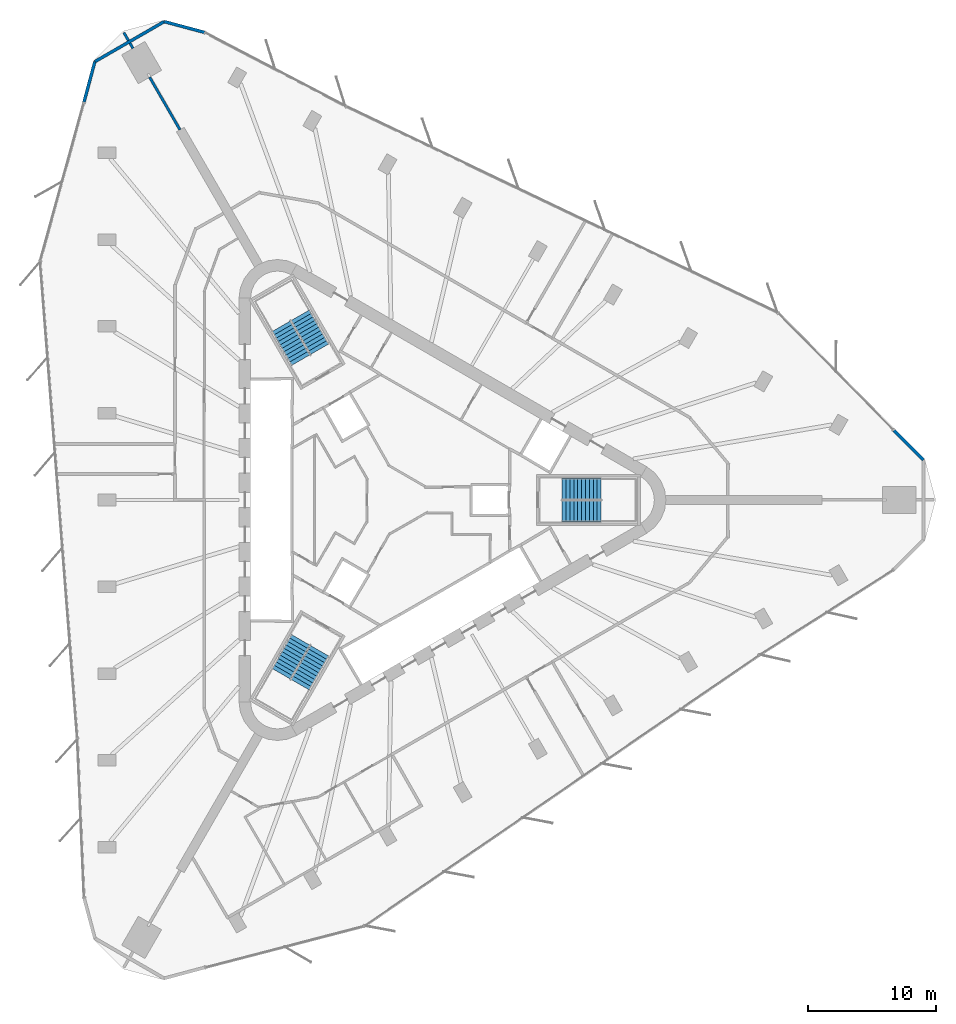
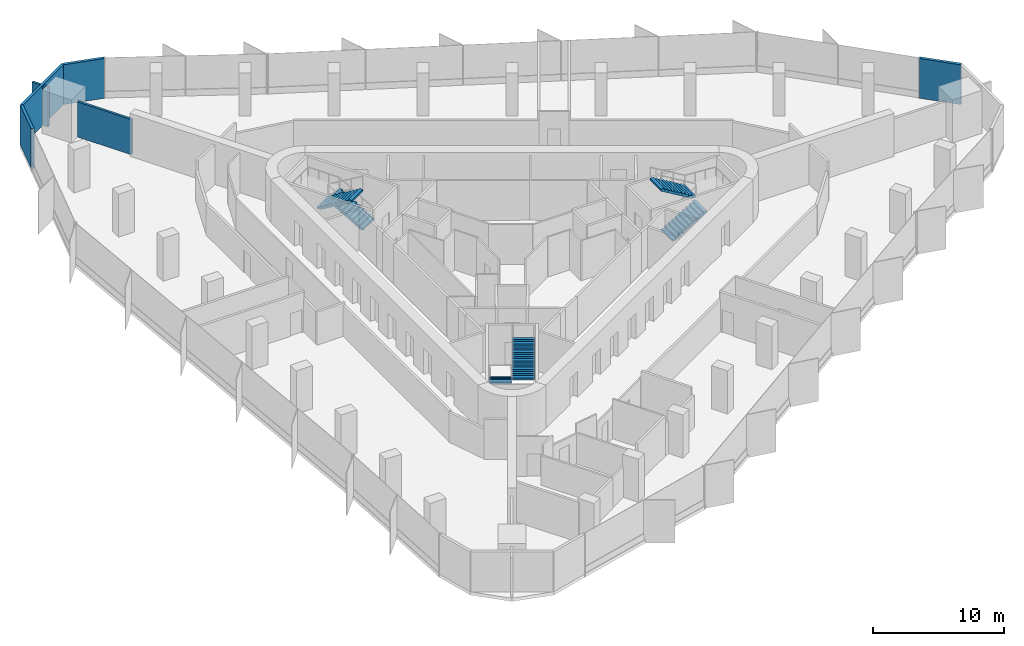
# One storey, part 12 of 13: 7 walls, 6 stair flights, 3 elements without a shape of their own.
"""IFC4 building model written with IfcOpenShell, lengths in metres."""

from ifc_helpers import new_model, si_unit, direction, frame, frame_2d, origin, place, context, subcontext, project, spatial, polyline, rectangle, outline, extrude, material, layer, layer_set, type_object, element, aggregate, save


model = new_model("IFC4")

# Units and contexts
model_context = context("Model", 3, precision=1e-05, world=origin(), true_north=direction((0.0, 1.0)))
body_context = subcontext(model_context, "Body", "Model", "MODEL_VIEW")
ifc_project = project(units=[si_unit("LENGTHUNIT", "METRE"), si_unit("AREAUNIT", "SQUARE_METRE"), si_unit("VOLUMEUNIT", "CUBIC_METRE"), si_unit("PLANEANGLEUNIT", "RADIAN"), si_unit("MASSUNIT", "GRAM", prefix="KILO")], contexts=[model_context])

# Site, building, storey
site_placement = place(None, origin())
site = spatial("IfcSite", under=ifc_project, at=site_placement, CompositionType="ELEMENT")
building_placement = place(site_placement, origin())
building = spatial("IfcBuilding", under=site, at=building_placement, Name="Tanit Gate Tower", CompositionType="ELEMENT")
storey_placement = place(building_placement, frame((0.0, 0.0, 181.199951171875)))
storey = spatial("IfcBuildingStorey", under=building, at=storey_placement, Name="L39", CompositionType="ELEMENT", Elevation=181.199951171875)

# Walls
ifc_material_1 = material(Name="Concrete C30/37 with bronze anodised aluminium cladding", Category="concrete")
ifc_layer_1 = layer(ifc_material_1, 0.239990234375)
ifc_layer_set_1 = layer_set([ifc_layer_1], Name="Facade wall bronze clad 240")
wall_type_1 = type_object("IfcWallType", Name="Facade wall bronze clad 240", PredefinedType="SOLIDWALL", material=ifc_layer_set_1)
wall_1_placement = place(storey_placement, frame((-14.79296875, 36.479248046875, 0.0), z_axis=(0.0, 0.0, 1.0), x_axis=(-0.965934328549, 0.258787312151, 0.0)))
element("IfcWall", 1, at=wall_1_placement, inside=storey, type_object=wall_type_1, Name="Bronze-clad facade wall L39 NW.arc1", PredefinedType="SOLIDWALL", context=body_context, shape_type="SweptSolid", body=[
    extrude(rectangle(XDim=3.255615234375, YDim=0.239990234375, at=frame_2d((1.6279296875, 0.0))), origin(), (0.0, 0.0, 1.0), 3.699951171875),
])
wall_2_placement = place(storey_placement, frame((-17.937744140625, 37.32177734375, 0.0), z_axis=(0.0, 0.0, 1.0), x_axis=(-0.866019130722, -0.500010865105, 0.0)))
element("IfcWall", 2, at=wall_2_placement, inside=storey, type_object=wall_type_1, Name="Bronze-clad facade wall L39 NW.arc2", PredefinedType="SOLIDWALL", context=body_context, shape_type="SweptSolid", body=[
    extrude(rectangle(XDim=6.252685546875, YDim=0.239990234375, at=frame_2d((3.12646484375, 0.0))), origin(), (0.0, 0.0, 1.0), 3.699951171875),
])
wall_3_placement = place(storey_placement, frame((-23.352783203125, 34.1953125, 0.0), z_axis=(0.0, 0.0, 1.0), x_axis=(-0.258843094037, -0.965919382076, 0.0)))
element("IfcWall", 3, at=wall_3_placement, inside=storey, type_object=wall_type_1, Name="Bronze-clad facade wall L39 NW.arc3", PredefinedType="SOLIDWALL", context=body_context, shape_type="SweptSolid", body=[
    extrude(rectangle(XDim=3.26904296875, YDim=0.239990234375, at=frame_2d((1.634521484375, 0.0))), origin(), (0.0, 0.0, 1.0), 3.699951171875),
])
wall_4_placement = place(storey_placement, frame((41.29052734375, 3.12646484375, 0.0), z_axis=(0.0, 0.0, 1.0), x_axis=(-0.707106781187, 0.707106781187, 0.0)))
element("IfcWall", 4, at=wall_4_placement, inside=storey, type_object=wall_type_1, Name="Bronze-clad facade wall L39 E.arc3", PredefinedType="SOLIDWALL", context=body_context, shape_type="SweptSolid", body=[
    extrude(rectangle(XDim=3.269287109375, YDim=0.239990234375, at=frame_2d((1.634765625, 0.0))), origin(), (0.0, 0.0, 1.0), 3.699951171875),
])
ifc_material_2 = material(Name="Fire-rated gypsum board partition")
ifc_layer_2 = layer(ifc_material_2, 0.199951171875)
ifc_layer_set_2 = layer_set([ifc_layer_2], Name="INT-WALL-COMPARTMENT")
wall_type_2 = type_object("IfcWallType", Name="INT-WALL-COMPARTMENT", PredefinedType="PARTITIONING", material=ifc_layer_set_2)
wall_5_placement = place(storey_placement, frame((-21.0859375, 36.462158203125, 0.0), z_axis=(0.0, 0.0, 1.0), x_axis=(0.499801860585, -0.866139769411, 0.0)))
element("IfcWall", 5, at=wall_5_placement, inside=storey, type_object=wall_type_2, Name="Wall Compartment W117", PredefinedType="PARTITIONING", context=body_context, shape_type="SweptSolid", body=[
    extrude(rectangle(XDim=0.709716796875, YDim=0.199951171875, at=frame_2d((0.35498046875, 0.0))), origin(), (0.0, 0.0, 1.0), 3.699951171875),
])
wall_6_placement = place(storey_placement, frame((-20.611083984375, 35.6396484375, 0.0), z_axis=(0.0, 0.0, 1.0), x_axis=(0.499842898591, -0.866116087328, 0.0)))
element("IfcWall", 6, at=wall_6_placement, inside=storey, type_object=wall_type_2, Name="Wall Compartment W117x1", PredefinedType="PARTITIONING", context=body_context, shape_type="SweptSolid", body=[
    extrude(rectangle(XDim=0.468017578125, YDim=0.199951171875, at=frame_2d((0.23388671875, 0.0))), origin(), (0.0, 0.0, 1.0), 3.699951171875),
])
wall_7_placement = place(storey_placement, frame((-19.0771484375, 32.982666015625, 0.0), z_axis=(0.0, 0.0, 1.0), x_axis=(0.499978475836, -0.86603783041, 0.0)))
element("IfcWall", 7, at=wall_7_placement, inside=storey, type_object=wall_type_2, Name="Wall Compartment W118", PredefinedType="PARTITIONING", context=body_context, shape_type="SweptSolid", body=[
    extrude(rectangle(XDim=4.732666015625, YDim=0.199951171875, at=frame_2d((2.3662109375, 0.0))), origin(), (0.0, 0.0, 1.0), 3.27001953125),
])

# Stair, stair flights
ifc_material_3 = material(Name="Concrete C40/50", Category="concrete")
stair_type = type_object("IfcStairType", Name="INT-STAIR-EXIT", PredefinedType="HALF_TURN_STAIR", material=ifc_material_3)
stair_1_placement = place(storey_placement, origin())
stair_1 = element("IfcStair", 8, at=stair_1_placement, inside=storey, type_object=stair_type, Name="L39 STAIR S1", PredefinedType="HALF_TURN_STAIR")
ifc_material_4 = material(Name="Concrete C40/50", Category="concrete")
stair_flight_type = type_object("IfcStairFlightType", Name="INT-STAIR-FLIGHT", PredefinedType="STRAIGHT", material=ifc_material_4)
stair_flight_1_placement = place(storey_placement, frame((13.094970703125, -0.8525390625, 0.0), z_axis=(0.0, 0.0, 1.0), x_axis=(1.0, 0.0, 0.0)))
stair_flight_1 = element("IfcStairFlight", 9, at=stair_flight_1_placement, type_object=stair_flight_type, Name="S1 flight 1", NumberOfRisers=11, NumberOfTreads=10, PredefinedType="STRAIGHT", RiserHeight=0.181818182, TreadLength=0.3051, context=body_context, shape_type="SweptSolid", body=[
    extrude(outline(polyline([(0.0, 0.0), (0.0, 0.181884765625), (0.30517578125, 0.181884765625), (0.30517578125, 0.363525390625), (0.610107421875, 0.363525390625), (0.610107421875, 0.54541015625), (0.915283203125, 0.54541015625), (0.915283203125, 0.727294921875), (1.220458984375, 0.727294921875), (1.220458984375, 0.9091796875), (1.525390625, 0.9091796875), (1.525390625, 1.0908203125), (1.83056640625, 1.0908203125), (1.83056640625, 1.272705078125), (2.1357421875, 1.272705078125), (2.1357421875, 1.45458984375), (2.44091796875, 1.45458984375), (2.44091796875, 1.636474609375), (2.745849609375, 1.636474609375), (2.745849609375, 1.818115234375), (3.051025390625, 1.818115234375), (3.051025390625, 2.0), (3.051025390625, 1.643798828125), (0.292724609375, 0.0), (0.0, 0.0)])), frame((0.0, 0.84765625, 0.0), z_axis=(0.0, -1.0, 0.0), x_axis=(1.0, 0.0, 0.0)), (0.0, 0.0, 1.0), 1.695068359375),
])
stair_flight_2_placement = place(storey_placement, frame((16.14599609375, 0.8525390625, 2.0), z_axis=(0.0, 0.0, 1.0), x_axis=(-1.0, 0.0, 0.0)))
stair_flight_2 = element("IfcStairFlight", 10, at=stair_flight_2_placement, type_object=stair_flight_type, Name="S1 flight 2", NumberOfRisers=11, NumberOfTreads=10, PredefinedType="STRAIGHT", RiserHeight=0.181818182, TreadLength=0.3051, context=body_context, shape_type="SweptSolid", body=[
    extrude(outline(polyline([(0.0, 0.0), (0.0, 0.181884765625), (0.30517578125, 0.181884765625), (0.30517578125, 0.363525390625), (0.610107421875, 0.363525390625), (0.610107421875, 0.54541015625), (0.915283203125, 0.54541015625), (0.915283203125, 0.727294921875), (1.220458984375, 0.727294921875), (1.220458984375, 0.9091796875), (1.525390625, 0.9091796875), (1.525390625, 1.0908203125), (1.83056640625, 1.0908203125), (1.83056640625, 1.272705078125), (2.1357421875, 1.272705078125), (2.1357421875, 1.45458984375), (2.44091796875, 1.45458984375), (2.44091796875, 1.636474609375), (2.745849609375, 1.636474609375), (2.745849609375, 1.818115234375), (3.051025390625, 1.818115234375), (3.051025390625, 2.0), (3.051025390625, 1.643798828125), (0.292724609375, 0.0), (0.0, 0.0)])), frame((0.0, 0.84765625, 0.0), z_axis=(0.0, -1.0, 0.0), x_axis=(1.0, 0.0, 0.0)), (0.0, 0.0, 1.0), 1.695068359375),
])
aggregate(stair_1, [stair_flight_1, stair_flight_2])

stair_2_placement = place(storey_placement, origin())
stair_2 = element("IfcStair", 11, at=stair_2_placement, inside=storey, type_object=stair_type, Name="L39 STAIR S2", PredefinedType="HALF_TURN_STAIR")
stair_flight_3_placement = place(storey_placement, frame((-5.808349609375, 11.766357421875, 0.0), z_axis=(0.0, 0.0, 1.0), x_axis=(-0.5, 0.866025403784, 0.0)))
stair_flight_3 = element("IfcStairFlight", 12, at=stair_flight_3_placement, type_object=stair_flight_type, Name="S2 flight 1", NumberOfRisers=11, NumberOfTreads=10, PredefinedType="STRAIGHT", RiserHeight=0.181818182, TreadLength=0.30492, context=body_context, shape_type="SweptSolid", body=[
    extrude(outline(polyline([(0.0, 0.0), (0.0, 0.181884765625), (0.304931640625, 0.181884765625), (0.304931640625, 0.363525390625), (0.60986328125, 0.363525390625), (0.60986328125, 0.54541015625), (0.914794921875, 0.54541015625), (0.914794921875, 0.727294921875), (1.2197265625, 0.727294921875), (1.2197265625, 0.9091796875), (1.524658203125, 0.9091796875), (1.524658203125, 1.0908203125), (1.82958984375, 1.0908203125), (1.82958984375, 1.272705078125), (2.134521484375, 1.272705078125), (2.134521484375, 1.45458984375), (2.439453125, 1.45458984375), (2.439453125, 1.636474609375), (2.744384765625, 1.636474609375), (2.744384765625, 1.818115234375), (3.04931640625, 1.818115234375), (3.04931640625, 2.0), (3.04931640625, 1.6435546875), (0.292724609375, 0.0), (0.0, 0.0)])), frame((0.0, 0.84716796875, 0.0), z_axis=(0.0, -1.0, 0.0), x_axis=(1.0, 0.0, 0.0)), (0.0, 0.0, 1.0), 1.694091796875),
])
stair_flight_4_placement = place(storey_placement, frame((-8.810302734375, 13.553955078125, 2.0), z_axis=(0.0, 0.0, 1.0), x_axis=(0.5, -0.866025403784, 0.0)))
stair_flight_4 = element("IfcStairFlight", 13, at=stair_flight_4_placement, type_object=stair_flight_type, Name="S2 flight 2", NumberOfRisers=11, NumberOfTreads=10, PredefinedType="STRAIGHT", RiserHeight=0.181818182, TreadLength=0.30492, context=body_context, shape_type="SweptSolid", body=[
    extrude(outline(polyline([(0.0, 0.0), (0.0, 0.181884765625), (0.304931640625, 0.181884765625), (0.304931640625, 0.363525390625), (0.60986328125, 0.363525390625), (0.60986328125, 0.54541015625), (0.914794921875, 0.54541015625), (0.914794921875, 0.727294921875), (1.2197265625, 0.727294921875), (1.2197265625, 0.9091796875), (1.524658203125, 0.9091796875), (1.524658203125, 1.0908203125), (1.82958984375, 1.0908203125), (1.82958984375, 1.272705078125), (2.134521484375, 1.272705078125), (2.134521484375, 1.45458984375), (2.439453125, 1.45458984375), (2.439453125, 1.636474609375), (2.744384765625, 1.636474609375), (2.744384765625, 1.818115234375), (3.04931640625, 1.818115234375), (3.04931640625, 2.0), (3.04931640625, 1.6435546875), (0.292724609375, 0.0), (0.0, 0.0)])), frame((0.0, 0.84716796875, 0.0), z_axis=(0.0, -1.0, 0.0), x_axis=(1.0, 0.0, 0.0)), (0.0, 0.0, 1.0), 1.694091796875),
])
aggregate(stair_2, [stair_flight_3, stair_flight_4])

stair_3_placement = place(storey_placement, origin())
stair_3 = element("IfcStair", 14, at=stair_3_placement, inside=storey, type_object=stair_type, Name="L39 STAIR S3", PredefinedType="HALF_TURN_STAIR")
stair_flight_5_placement = place(storey_placement, frame((-7.285888671875, -10.914306640625, 0.0), z_axis=(0.0, 0.0, 1.0), x_axis=(-0.5, -0.866025403784, 0.0)))
stair_flight_5 = element("IfcStairFlight", 15, at=stair_flight_5_placement, type_object=stair_flight_type, Name="S3 flight 1", NumberOfRisers=11, NumberOfTreads=10, PredefinedType="STRAIGHT", RiserHeight=0.181818182, TreadLength=0.3051, context=body_context, shape_type="SweptSolid", body=[
    extrude(outline(polyline([(0.0, 0.0), (0.0, 0.181884765625), (0.30517578125, 0.181884765625), (0.30517578125, 0.363525390625), (0.610107421875, 0.363525390625), (0.610107421875, 0.54541015625), (0.915283203125, 0.54541015625), (0.915283203125, 0.727294921875), (1.220458984375, 0.727294921875), (1.220458984375, 0.9091796875), (1.525390625, 0.9091796875), (1.525390625, 1.0908203125), (1.83056640625, 1.0908203125), (1.83056640625, 1.272705078125), (2.1357421875, 1.272705078125), (2.1357421875, 1.45458984375), (2.44091796875, 1.45458984375), (2.44091796875, 1.636474609375), (2.745849609375, 1.636474609375), (2.745849609375, 1.818115234375), (3.051025390625, 1.818115234375), (3.051025390625, 2.0), (3.051025390625, 1.643798828125), (0.292724609375, 0.0), (0.0, 0.0)])), frame((0.0, 0.84765625, 0.0), z_axis=(0.0, -1.0, 0.0), x_axis=(1.0, 0.0, 0.0)), (0.0, 0.0, 1.0), 1.695068359375),
])
stair_flight_6_placement = place(storey_placement, frame((-7.334716796875, -14.4091796875, 2.0), z_axis=(0.0, 0.0, 1.0), x_axis=(0.5, 0.866025403784, 0.0)))
stair_flight_6 = element("IfcStairFlight", 16, at=stair_flight_6_placement, type_object=stair_flight_type, Name="S3 flight 2", NumberOfRisers=11, NumberOfTreads=10, PredefinedType="STRAIGHT", RiserHeight=0.181818182, TreadLength=0.3051, context=body_context, shape_type="SweptSolid", body=[
    extrude(outline(polyline([(0.0, 0.0), (0.0, 0.181884765625), (0.30517578125, 0.181884765625), (0.30517578125, 0.363525390625), (0.610107421875, 0.363525390625), (0.610107421875, 0.54541015625), (0.915283203125, 0.54541015625), (0.915283203125, 0.727294921875), (1.220458984375, 0.727294921875), (1.220458984375, 0.9091796875), (1.525390625, 0.9091796875), (1.525390625, 1.0908203125), (1.83056640625, 1.0908203125), (1.83056640625, 1.272705078125), (2.1357421875, 1.272705078125), (2.1357421875, 1.45458984375), (2.44091796875, 1.45458984375), (2.44091796875, 1.636474609375), (2.745849609375, 1.636474609375), (2.745849609375, 1.818115234375), (3.051025390625, 1.818115234375), (3.051025390625, 2.0), (3.051025390625, 1.643798828125), (0.292724609375, 0.0), (0.0, 0.0)])), frame((0.0, 0.84765625, 0.0), z_axis=(0.0, -1.0, 0.0), x_axis=(1.0, 0.0, 0.0)), (0.0, 0.0, 1.0), 1.695068359375),
])
aggregate(stair_3, [stair_flight_5, stair_flight_6])

save(model, "model.ifc")
